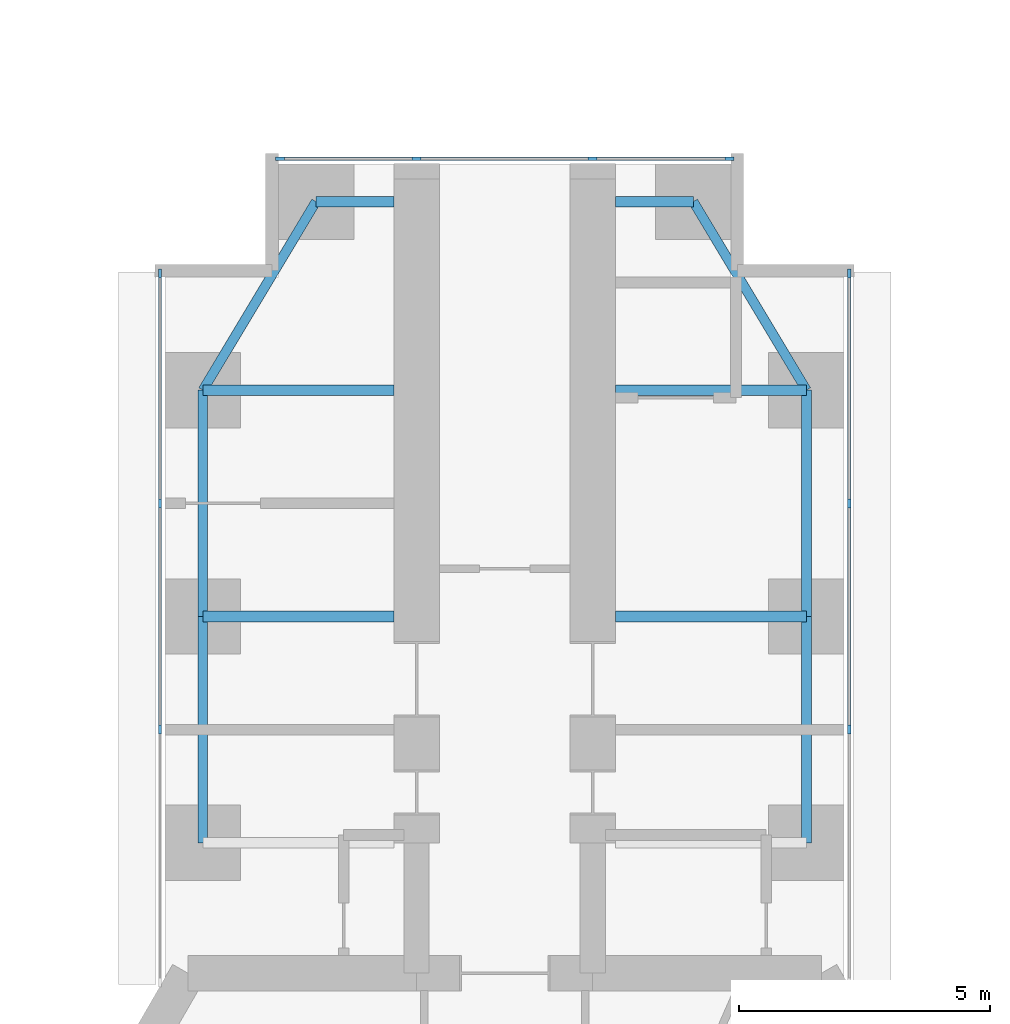
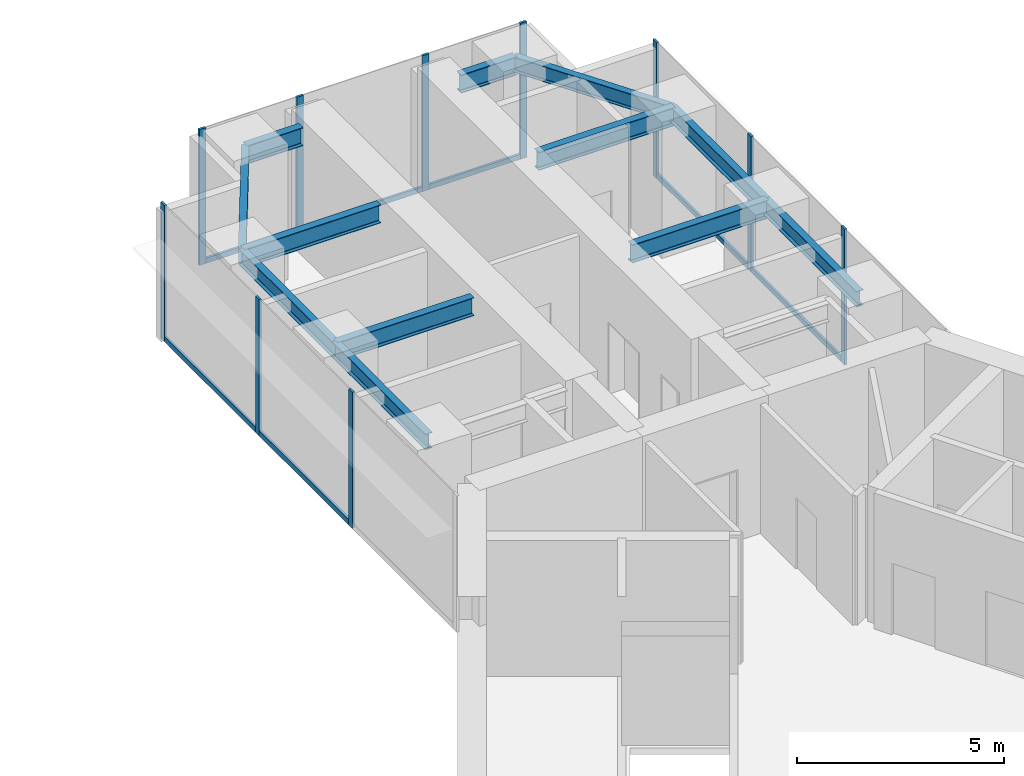
# One storey, part 13 of 23: 17 members, 12 beams, 3 elements without a shape of their own.
"""IFC4 building model written with IfcOpenShell, lengths in metres."""

from ifc_helpers import new_model, si_unit, direction, frame, origin, origin_2d, place, context, subcontext, project, spatial, rectangle, i_section, extrude, material, material_profile, profile_set, type_object, element, aggregate, save


model = new_model("IFC4")

# Units and contexts
model_context = context("Model", 3, precision=1e-05, world=origin(), true_north=direction((0.0, 1.0)))
body_context = subcontext(model_context, "Body", "Model", "MODEL_VIEW")
ifc_project = project(units=[si_unit("LENGTHUNIT", "METRE"), si_unit("AREAUNIT", "SQUARE_METRE"), si_unit("VOLUMEUNIT", "CUBIC_METRE"), si_unit("PLANEANGLEUNIT", "RADIAN"), si_unit("MASSUNIT", "GRAM", prefix="KILO")], contexts=[model_context])

# Site, building, storey
site_placement = place(None, origin())
site = spatial("IfcSite", under=ifc_project, at=site_placement, CompositionType="ELEMENT")
building_placement = place(site_placement, origin())
building = spatial("IfcBuilding", under=site, at=building_placement, Name="Upepo Twin Towers", CompositionType="ELEMENT")
storey_placement = place(building_placement, frame((0.0, 0.0, 24.5)))
storey = spatial("IfcBuildingStorey", under=building, at=storey_placement, Name="L05", CompositionType="ELEMENT", Elevation=24.5)

# Beams
ifc_material_1 = material(Name="Steel S355", Category="steel")
ifc_material_profile_1 = material_profile(ifc_material_1, i_section(OverallWidth=0.1904296875, OverallDepth=0.45703125, WebThickness=0.009033203125, FlangeThickness=0.014404296875, FilletRadius=0.01025390625, at=origin_2d()), Name="UB 457x191x74")
ifc_profile_set_1 = profile_set([ifc_material_profile_1], Name="Steel S355")
beam_type_1 = type_object("IfcBeamType", Name="Beam UB 457x191x74", PredefinedType="BEAM", material=ifc_profile_set_1)
for number, where, z_axis, x_axis, name in (
    (1, (52.5, -4.5, 3.571533203125), (0.0, 1.0, 0.0), (-1.0, 0.0, 0.0), "T2 edge beam AL 13.5-18.0"),
    (2, (52.5, 0.0, 3.571533203125), (0.0, 1.0, 0.0), (-1.0, 0.0, 0.0), "T2 edge beam AL 18.0-22.5"),
):
    element("IfcBeam", number, at=place(storey_placement, frame(where, z_axis=z_axis, x_axis=x_axis)), inside=storey, type_object=beam_type_1, Name=name, PredefinedType="BEAM", context=body_context, shape_type="SweptSolid", body=[
        extrude(i_section(OverallWidth=0.1904296875, OverallDepth=0.45703125, WebThickness=0.009033203125, FlangeThickness=0.014404296875, FilletRadius=0.01025390625, at=origin_2d()), origin(), (0.0, 0.0, 1.0), 4.5),
    ])
beam_1_placement = place(storey_placement, frame((52.5, 4.5, 3.571533203125), z_axis=(0.514495755428, 0.857492925713, 0.0), x_axis=(-0.857492925713, 0.514495755428, 0.0)))
element("IfcBeam", 3, at=beam_1_placement, inside=storey, type_object=beam_type_1, Name="T2 nose edge beam AL", PredefinedType="BEAM", context=body_context, shape_type="SweptSolid", body=[
    extrude(i_section(OverallWidth=0.1904296875, OverallDepth=0.45703125, WebThickness=0.009033203125, FlangeThickness=0.014404296875, FilletRadius=0.01025390625, at=origin_2d()), origin(), (0.0, 0.0, 1.0), 4.373291015625),
])
for number, where, z_axis, x_axis, name in (
    (4, (64.5, -4.5, 3.571533203125), (0.0, 1.0, 0.0), (-1.0, 0.0, 0.0), "T2 edge beam AR 13.5-18.0"),
    (5, (64.5, 0.0, 3.571533203125), (0.0, 1.0, 0.0), (-1.0, 0.0, 0.0), "T2 edge beam AR 18.0-22.5"),
):
    element("IfcBeam", number, at=place(storey_placement, frame(where, z_axis=z_axis, x_axis=x_axis)), inside=storey, type_object=beam_type_1, Name=name, PredefinedType="BEAM", context=body_context, shape_type="SweptSolid", body=[
        extrude(i_section(OverallWidth=0.1904296875, OverallDepth=0.45703125, WebThickness=0.009033203125, FlangeThickness=0.014404296875, FilletRadius=0.01025390625, at=origin_2d()), origin(), (0.0, 0.0, 1.0), 4.5),
    ])
beam_2_placement = place(storey_placement, frame((64.5, 4.5, 3.571533203125), z_axis=(-0.514495755428, 0.857492925713, 0.0), x_axis=(-0.857492925713, -0.514495755428, 0.0)))
element("IfcBeam", 6, at=beam_2_placement, inside=storey, type_object=beam_type_1, Name="T2 nose edge beam AR", PredefinedType="BEAM", context=body_context, shape_type="SweptSolid", body=[
    extrude(i_section(OverallWidth=0.1904296875, OverallDepth=0.45703125, WebThickness=0.009033203125, FlangeThickness=0.014404296875, FilletRadius=0.01025390625, at=origin_2d()), origin(), (0.0, 0.0, 1.0), 4.373291015625),
])
ifc_material_2 = material(Name="Steel S355", Category="steel")
ifc_material_profile_2 = material_profile(ifc_material_2, i_section(OverallWidth=0.2099609375, OverallDepth=0.53662109375, WebThickness=0.0107421875, FlangeThickness=0.017333984375, FilletRadius=0.0126953125, at=origin_2d()), Name="UB 533x210x101")
ifc_profile_set_2 = profile_set([ifc_material_profile_2], Name="Steel S355")
beam_type_2 = type_object("IfcBeamType", Name="Beam UB 533x210x101", PredefinedType="BEAM", material=ifc_profile_set_2)
for number, where, z_axis, x_axis, name in (
    (7, (54.75, 8.25, 3.53173828125), (1.0, 0.0, 0.0), (0.0, 1.0, 0.0), "T2 nose beam AL"),
    (8, (62.25, 8.25, 3.53173828125), (-1.0, 0.0, 0.0), (0.0, -1.0, 0.0), "T2 nose beam AR"),
):
    element("IfcBeam", number, at=place(storey_placement, frame(where, z_axis=z_axis, x_axis=x_axis)), inside=storey, type_object=beam_type_2, Name=name, PredefinedType="BEAM", context=body_context, shape_type="SweptSolid", body=[
        extrude(i_section(OverallWidth=0.2099609375, OverallDepth=0.53662109375, WebThickness=0.0107421875, FlangeThickness=0.017333984375, FilletRadius=0.0126953125, at=origin_2d()), origin(), (0.0, 0.0, 1.0), 1.550048828125),
    ])
ifc_material_3 = material(Name="Steel S355", Category="steel")
ifc_material_profile_3 = material_profile(ifc_material_3, i_section(OverallWidth=0.209228515625, OverallDepth=0.533203125, WebThickness=0.010009765625, FlangeThickness=0.015625, FilletRadius=0.0126953125, at=origin_2d()), Name="UB 533x210x92")
ifc_profile_set_3 = profile_set([ifc_material_profile_3], Name="Steel S355")
beam_type_3 = type_object("IfcBeamType", Name="Beam UB 533x210x92", PredefinedType="BEAM", material=ifc_profile_set_3)
for number, where, z_axis, x_axis, name in (
    (9, (52.5, 0.0, 3.533447265625), (1.0, 0.0, 0.0), (0.0, 1.0, 0.0), "T2 girder AL at 18.0"),
    (10, (52.5, 4.5, 3.533447265625), (1.0, 0.0, 0.0), (0.0, 1.0, 0.0), "T2 girder AL at 22.5"),
    (11, (64.5, 0.0, 3.533447265625), (-1.0, 0.0, 0.0), (0.0, -1.0, 0.0), "T2 girder AR at 18.0"),
    (12, (64.5, 4.5, 3.533447265625), (-1.0, 0.0, 0.0), (0.0, -1.0, 0.0), "T2 girder AR at 22.5"),
):
    element("IfcBeam", number, at=place(storey_placement, frame(where, z_axis=z_axis, x_axis=x_axis)), inside=storey, type_object=beam_type_3, Name=name, PredefinedType="BEAM", context=body_context, shape_type="SweptSolid", body=[
        extrude(i_section(OverallWidth=0.209228515625, OverallDepth=0.533203125, WebThickness=0.010009765625, FlangeThickness=0.015625, FilletRadius=0.0126953125, at=origin_2d()), origin(), (0.0, 0.0, 1.0), 3.800048828125),
    ])

# Curtain wall, members
ifc_material_4 = material(Name="Aluminium and fritted glass", Category="aluminium")
curtain_wall_type = type_object("IfcCurtainWallType", Name="Tower curtain wall TW1, fritted glass", PredefinedType="NOTDEFINED", material=ifc_material_4)
curtain_wall_1_placement = place(storey_placement, origin())
curtain_wall_1 = element("IfcCurtainWall", 13, at=curtain_wall_1_placement, inside=storey, type_object=curtain_wall_type, Name="T2 L05 wing A flank L curtain wall", PredefinedType="NOTDEFINED")
ifc_material_5 = material(Name="Aluminium mullion", Category="aluminium")
ifc_material_profile_4 = material_profile(ifc_material_5, rectangle(XDim=0.06494140625, YDim=0.179931640625, at=origin_2d()), Name="MULLION 65x180")
ifc_profile_set_4 = profile_set([ifc_material_profile_4], Name="Aluminium mullion")
member_type_1 = type_object("IfcMemberType", Name="Mullion 65x180 TW1", PredefinedType="MULLION", material=ifc_profile_set_4)
member_1_placement = place(storey_placement, frame((51.64990234375, -2.25, 0.0), z_axis=(0.0, 0.0, 1.0), x_axis=(-1.0, 0.0, 0.0)))
member_1 = element("IfcMember", 14, at=member_1_placement, type_object=member_type_1, Name="T2 L05 wing A flank L curtain wall mullion 2", PredefinedType="MULLION", context=body_context, shape_type="SweptSolid", body=[
    extrude(rectangle(XDim=0.06494140625, YDim=0.179931640625, at=origin_2d()), origin(), (0.0, 0.0, 1.0), 4.0),
])
member_2_placement = place(storey_placement, frame((51.64990234375, 2.25, 0.0), z_axis=(0.0, 0.0, 1.0), x_axis=(-1.0, 0.0, 0.0)))
member_2 = element("IfcMember", 15, at=member_2_placement, type_object=member_type_1, Name="T2 L05 wing A flank L curtain wall mullion 3", PredefinedType="MULLION", context=body_context, shape_type="SweptSolid", body=[
    extrude(rectangle(XDim=0.06494140625, YDim=0.179931640625, at=origin_2d()), origin(), (0.0, 0.0, 1.0), 4.0),
])
member_3_placement = place(storey_placement, frame((51.64990234375, 6.8173828125, 0.0), z_axis=(0.0, 0.0, 1.0), x_axis=(-1.0, 0.0, 0.0)))
member_3 = element("IfcMember", 16, at=member_3_placement, type_object=member_type_1, Name="T2 L05 wing A flank L curtain wall mullion 4", PredefinedType="MULLION", context=body_context, shape_type="SweptSolid", body=[
    extrude(rectangle(XDim=0.06494140625, YDim=0.179931640625, at=origin_2d()), origin(), (0.0, 0.0, 1.0), 4.0),
])

curtain_wall_2_placement = place(storey_placement, origin())
curtain_wall_2 = element("IfcCurtainWall", 17, at=curtain_wall_2_placement, inside=storey, type_object=curtain_wall_type, Name="T2 L05 wing A flank R curtain wall", PredefinedType="NOTDEFINED")
member_4_placement = place(storey_placement, frame((65.35009765625, 6.8173828125, 0.0), z_axis=(0.0, 0.0, 1.0), x_axis=(1.0, 0.0, 0.0)))
member_4 = element("IfcMember", 18, at=member_4_placement, type_object=member_type_1, Name="T2 L05 wing A flank R curtain wall mullion 1", PredefinedType="MULLION", context=body_context, shape_type="SweptSolid", body=[
    extrude(rectangle(XDim=0.06494140625, YDim=0.179931640625, at=origin_2d()), origin(), (0.0, 0.0, 1.0), 4.0),
])
member_5_placement = place(storey_placement, frame((65.35009765625, 2.25, 0.0), z_axis=(0.0, 0.0, 1.0), x_axis=(1.0, 0.0, 0.0)))
member_5 = element("IfcMember", 19, at=member_5_placement, type_object=member_type_1, Name="T2 L05 wing A flank R curtain wall mullion 2", PredefinedType="MULLION", context=body_context, shape_type="SweptSolid", body=[
    extrude(rectangle(XDim=0.06494140625, YDim=0.179931640625, at=origin_2d()), origin(), (0.0, 0.0, 1.0), 4.0),
])
member_6_placement = place(storey_placement, frame((65.35009765625, -2.25, 0.0), z_axis=(0.0, 0.0, 1.0), x_axis=(1.0, 0.0, 0.0)))
member_6 = element("IfcMember", 20, at=member_6_placement, type_object=member_type_1, Name="T2 L05 wing A flank R curtain wall mullion 3", PredefinedType="MULLION", context=body_context, shape_type="SweptSolid", body=[
    extrude(rectangle(XDim=0.06494140625, YDim=0.179931640625, at=origin_2d()), origin(), (0.0, 0.0, 1.0), 4.0),
])

curtain_wall_3_placement = place(storey_placement, origin())
curtain_wall_3 = element("IfcCurtainWall", 21, at=curtain_wall_3_placement, inside=storey, type_object=curtain_wall_type, Name="T2 L05 wing A nose curtain wall", PredefinedType="NOTDEFINED")
member_7_placement = place(storey_placement, frame((62.967529296875, 9.10009765625, 0.0), z_axis=(0.0, 0.0, 1.0), x_axis=(0.0, -1.0, 0.0)))
member_7 = element("IfcMember", 22, at=member_7_placement, type_object=member_type_1, Name="T2 L05 wing A nose curtain wall mullion 1", PredefinedType="MULLION", context=body_context, shape_type="SweptSolid", body=[
    extrude(rectangle(XDim=0.06494140625, YDim=0.179931640625, at=origin_2d()), origin(), (0.0, 0.0, 1.0), 4.0),
])
member_8_placement = place(storey_placement, frame((60.25, 9.10009765625, 0.0), z_axis=(0.0, 0.0, 1.0), x_axis=(0.0, -1.0, 0.0)))
member_8 = element("IfcMember", 23, at=member_8_placement, type_object=member_type_1, Name="T2 L05 wing A nose curtain wall mullion 2", PredefinedType="MULLION", context=body_context, shape_type="SweptSolid", body=[
    extrude(rectangle(XDim=0.06494140625, YDim=0.179931640625, at=origin_2d()), origin(), (0.0, 0.0, 1.0), 4.0),
])
member_9_placement = place(storey_placement, frame((56.75, 9.10009765625, 0.0), z_axis=(0.0, 0.0, 1.0), x_axis=(0.0, -1.0, 0.0)))
member_9 = element("IfcMember", 24, at=member_9_placement, type_object=member_type_1, Name="T2 L05 wing A nose curtain wall mullion 3", PredefinedType="MULLION", context=body_context, shape_type="SweptSolid", body=[
    extrude(rectangle(XDim=0.06494140625, YDim=0.179931640625, at=origin_2d()), origin(), (0.0, 0.0, 1.0), 4.0),
])
member_10_placement = place(storey_placement, frame((54.032470703125, 9.10009765625, 0.0), z_axis=(0.0, 0.0, 1.0), x_axis=(0.0, -1.0, 0.0)))
member_10 = element("IfcMember", 25, at=member_10_placement, type_object=member_type_1, Name="T2 L05 wing A nose curtain wall mullion 4", PredefinedType="MULLION", context=body_context, shape_type="SweptSolid", body=[
    extrude(rectangle(XDim=0.06494140625, YDim=0.179931640625, at=origin_2d()), origin(), (0.0, 0.0, 1.0), 4.0),
])

# Member
ifc_material_6 = material(Name="Aluminium transom", Category="aluminium")
ifc_material_profile_5 = material_profile(ifc_material_6, rectangle(XDim=0.06494140625, YDim=0.14990234375, at=origin_2d()), Name="TRANSOM 65x150")
ifc_profile_set_5 = profile_set([ifc_material_profile_5], Name="Aluminium transom")
member_type_2 = type_object("IfcMemberType", Name="Transom 65x150 TW1", PredefinedType="USERDEFINED", material=ifc_profile_set_5)
member_11_placement = place(storey_placement, frame((51.64990234375, -2.217529296875, 0.074951171875), z_axis=(0.0, 1.0, 0.0), x_axis=(-1.0, 0.0, 0.0)))
member_11 = element("IfcMember", 26, at=member_11_placement, type_object=member_type_2, Name="T2 L05 wing A flank L curtain wall transom 2", ObjectType="TRANSOM", PredefinedType="USERDEFINED", context=body_context, shape_type="SweptSolid", body=[
    extrude(rectangle(XDim=0.06494140625, YDim=0.14990234375, at=origin_2d()), origin(), (0.0, 0.0, 1.0), 4.43505859375),
])

member_12_placement = place(storey_placement, frame((51.64990234375, 2.282470703125, 0.074951171875), z_axis=(0.0, 1.0, 0.0), x_axis=(-1.0, 0.0, 0.0)))
member_12 = element("IfcMember", 27, at=member_12_placement, type_object=member_type_2, Name="T2 L05 wing A flank L curtain wall transom 3", ObjectType="TRANSOM", PredefinedType="USERDEFINED", context=body_context, shape_type="SweptSolid", body=[
    extrude(rectangle(XDim=0.06494140625, YDim=0.14990234375, at=origin_2d()), origin(), (0.0, 0.0, 1.0), 4.50244140625),
])

aggregate(curtain_wall_1, [member_1, member_2, member_3, member_11, member_12])

member_13_placement = place(storey_placement, frame((65.35009765625, 6.784912109375, 0.074951171875), z_axis=(0.0, -1.0, 0.0), x_axis=(1.0, 0.0, 0.0)))
member_13 = element("IfcMember", 28, at=member_13_placement, type_object=member_type_2, Name="T2 L05 wing A flank R curtain wall transom 1", ObjectType="TRANSOM", PredefinedType="USERDEFINED", context=body_context, shape_type="SweptSolid", body=[
    extrude(rectangle(XDim=0.06494140625, YDim=0.14990234375, at=origin_2d()), origin(), (0.0, 0.0, 1.0), 4.50244140625),
])

member_14_placement = place(storey_placement, frame((65.35009765625, 2.217529296875, 0.074951171875), z_axis=(0.0, -1.0, 0.0), x_axis=(1.0, 0.0, 0.0)))
member_14 = element("IfcMember", 29, at=member_14_placement, type_object=member_type_2, Name="T2 L05 wing A flank R curtain wall transom 2", ObjectType="TRANSOM", PredefinedType="USERDEFINED", context=body_context, shape_type="SweptSolid", body=[
    extrude(rectangle(XDim=0.06494140625, YDim=0.14990234375, at=origin_2d()), origin(), (0.0, 0.0, 1.0), 4.43505859375),
])

aggregate(curtain_wall_2, [member_4, member_5, member_6, member_13, member_14])

member_15_placement = place(storey_placement, frame((62.93505859375, 9.10009765625, 0.074951171875), z_axis=(-1.0, 0.0, 0.0), x_axis=(0.0, -1.0, 0.0)))
member_15 = element("IfcMember", 30, at=member_15_placement, type_object=member_type_2, Name="T2 L05 wing A nose curtain wall transom 1", ObjectType="TRANSOM", PredefinedType="USERDEFINED", context=body_context, shape_type="SweptSolid", body=[
    extrude(rectangle(XDim=0.06494140625, YDim=0.14990234375, at=origin_2d()), origin(), (0.0, 0.0, 1.0), 2.652587890625),
])

member_16_placement = place(storey_placement, frame((60.217529296875, 9.10009765625, 0.074951171875), z_axis=(-1.0, 0.0, 0.0), x_axis=(0.0, -1.0, 0.0)))
member_16 = element("IfcMember", 31, at=member_16_placement, type_object=member_type_2, Name="T2 L05 wing A nose curtain wall transom 2", ObjectType="TRANSOM", PredefinedType="USERDEFINED", context=body_context, shape_type="SweptSolid", body=[
    extrude(rectangle(XDim=0.06494140625, YDim=0.14990234375, at=origin_2d()), origin(), (0.0, 0.0, 1.0), 3.43505859375),
])

member_17_placement = place(storey_placement, frame((56.717529296875, 9.10009765625, 0.074951171875), z_axis=(-1.0, 0.0, 0.0), x_axis=(0.0, -1.0, 0.0)))
member_17 = element("IfcMember", 32, at=member_17_placement, type_object=member_type_2, Name="T2 L05 wing A nose curtain wall transom 3", ObjectType="TRANSOM", PredefinedType="USERDEFINED", context=body_context, shape_type="SweptSolid", body=[
    extrude(rectangle(XDim=0.06494140625, YDim=0.14990234375, at=origin_2d()), origin(), (0.0, 0.0, 1.0), 2.652587890625),
])

aggregate(curtain_wall_3, [member_7, member_8, member_9, member_10, member_15, member_16, member_17])

save(model, "model.ifc")
